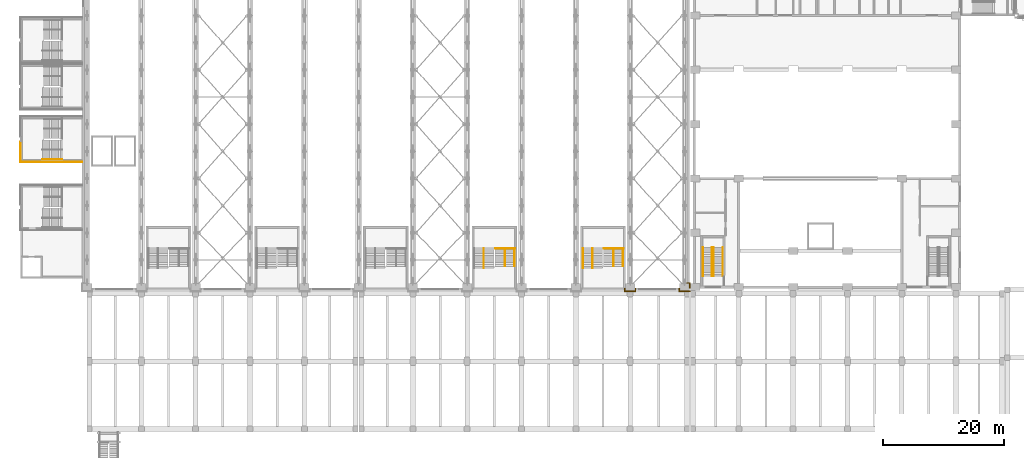
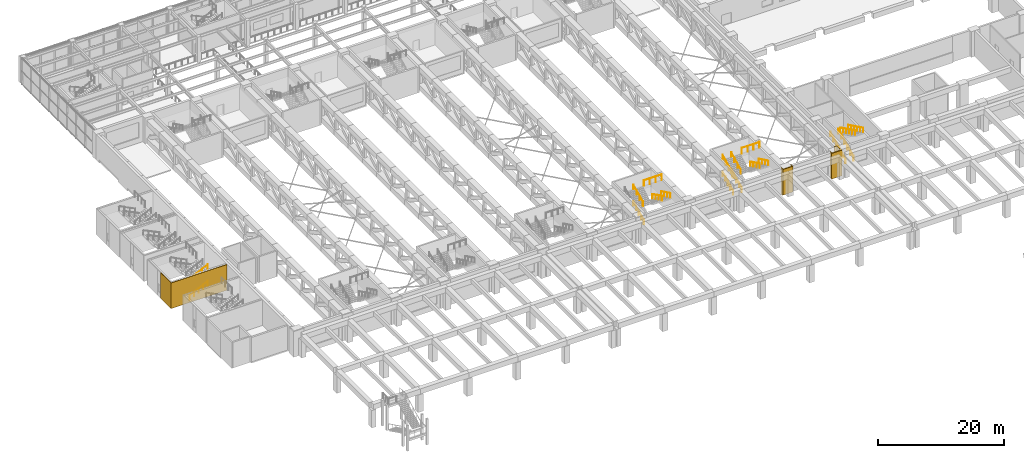
# One storey, part 67 of 76: 18 railings, 5 coverings.
"""IFC4 building model written with IfcOpenShell, lengths in metres."""

from ifc_helpers import new_model, si_unit, direction, frame, origin, origin_2d, place, context, subcontext, project, spatial, polyline, circle, outline, extrude, material, layer, layer_set, type_object, element, save


model = new_model("IFC4")

# Units and contexts
model_context = context("Model", 3, precision=1e-05, world=origin(), true_north=direction((0.0, 1.0)))
body_context = subcontext(model_context, "Body", "Model", "MODEL_VIEW")
ifc_project = project(units=[si_unit("LENGTHUNIT", "METRE"), si_unit("AREAUNIT", "SQUARE_METRE"), si_unit("VOLUMEUNIT", "CUBIC_METRE"), si_unit("PLANEANGLEUNIT", "RADIAN"), si_unit("MASSUNIT", "GRAM", prefix="KILO")], contexts=[model_context])

# Site, building, storey
site_placement = place(None, origin())
site = spatial("IfcSite", under=ifc_project, at=site_placement, CompositionType="ELEMENT")
building_placement = place(site_placement, origin())
building = spatial("IfcBuilding", under=site, at=building_placement, Name="Aravalli Gate Trade Fair Centre", CompositionType="ELEMENT")
storey_placement = place(building_placement, frame((0.0, 0.0, 10.0)))
storey = spatial("IfcBuildingStorey", under=building, at=storey_placement, Name="L02", CompositionType="ELEMENT", Elevation=10.0)

# Railings
ifc_material_1 = material(Name="Steel E350", Category="steel")
railing_type_1 = type_object("IfcRailingType", Name="Congress stair handrail 900", PredefinedType="HANDRAIL", material=ifc_material_1)
for number, where, name in (
    (1, (108.070068359375, 47.800048828125, 0.147216796875), "Handrail GS1 L02 1"),
    (2, (109.550048828125, 47.800048828125, 0.147216796875), "Handrail GS1 L02 2"),
):
    element("IfcRailing", number, at=place(storey_placement, frame(where)), inside=storey, type_object=railing_type_1, Name=name, PredefinedType="HANDRAIL", context=body_context, shape_type="SweptSolid", body=[
        extrude(circle(Radius=0.02392578125, at=origin_2d()), frame((0.0, 0.0, 0.8759765625), z_axis=(0.0, 0.89793417156, 0.440129780343), x_axis=(-1.0, 0.0, 0.0)), (0.0, 0.0, 1.0), 5.345703125),
        extrude(circle(Radius=0.02099609375, at=origin_2d()), origin(), (0.0, 0.0, 1.0), 0.851806640625),
        extrude(circle(Radius=0.02099609375, at=origin_2d()), frame((0.0, 0.9599609375, 0.470458984375)), (0.0, 0.0, 1.0), 0.851806640625),
        extrude(circle(Radius=0.02099609375, at=origin_2d()), frame((0.0, 1.919921875, 0.941162109375)), (0.0, 0.0, 1.0), 0.851806640625),
        extrude(circle(Radius=0.02099609375, at=origin_2d()), frame((0.0, 2.880126953125, 1.41162109375)), (0.0, 0.0, 1.0), 0.851806640625),
        extrude(circle(Radius=0.02099609375, at=origin_2d()), frame((0.0, 3.840087890625, 1.88232421875)), (0.0, 0.0, 1.0), 0.851806640625),
        extrude(circle(Radius=0.02099609375, at=origin_2d()), frame((0.0, 4.800048828125, 2.352783203125)), (0.0, 0.0, 1.0), 0.851806640625),
    ])
for number, where, name in (
    (3, (111.330078125, 52.60009765625, 2.647216796875), "Handrail GS1 L02 3"),
    (4, (109.85009765625, 52.60009765625, 2.647216796875), "Handrail GS1 L02 4"),
):
    element("IfcRailing", number, at=place(storey_placement, frame(where)), inside=storey, type_object=railing_type_1, Name=name, PredefinedType="HANDRAIL", context=body_context, shape_type="SweptSolid", body=[
        extrude(circle(Radius=0.02392578125, at=origin_2d()), frame((0.0, 0.0, 0.8759765625), z_axis=(0.0, -0.89793417156, 0.440129780343), x_axis=(1.0, 0.0, 0.0)), (0.0, 0.0, 1.0), 5.345703125),
        extrude(circle(Radius=0.02099609375, at=origin_2d()), origin(), (0.0, 0.0, 1.0), 0.851806640625),
        extrude(circle(Radius=0.02099609375, at=origin_2d()), frame((0.0, -0.9599609375, 0.470458984375)), (0.0, 0.0, 1.0), 0.851806640625),
        extrude(circle(Radius=0.02099609375, at=origin_2d()), frame((0.0, -1.919921875, 0.941162109375)), (0.0, 0.0, 1.0), 0.851806640625),
        extrude(circle(Radius=0.02099609375, at=origin_2d()), frame((0.0, -2.880126953125, 1.41162109375)), (0.0, 0.0, 1.0), 0.851806640625),
        extrude(circle(Radius=0.02099609375, at=origin_2d()), frame((0.0, -3.840087890625, 1.88232421875)), (0.0, 0.0, 1.0), 0.851806640625),
        extrude(circle(Radius=0.02099609375, at=origin_2d()), frame((0.0, -4.800048828125, 2.352783203125)), (0.0, 0.0, 1.0), 0.851806640625),
    ])

# Coverings
ifc_material_2 = material(Name="Terracotta", Category="masonry")
ifc_layer_1 = layer(ifc_material_2, 0.10009765625)
ifc_layer_set_1 = layer_set([ifc_layer_1], Name="Terracotta")
covering_type_1 = type_object("IfcCoveringType", Name="End tower cladding 100", PredefinedType="CLADDING", material=ifc_layer_set_1)
covering_1_placement = place(storey_placement, origin())
element("IfcCovering", 5, at=covering_1_placement, inside=storey, type_object=covering_type_1, Name="End tower W4 cladding L02 side A", PredefinedType="CLADDING", context=body_context, shape_type="SweptSolid", body=[
    extrude(outline(polyline([(5.199951171875, 66.699951171875), (-5.10009765625, 66.699951171875), (-5.10009765625, 66.800048828125), (5.199951171875, 66.800048828125), (5.199951171875, 66.699951171875)])), origin(), (0.0, 0.0, 1.0), 5.0),
])
covering_2_placement = place(storey_placement, origin())
element("IfcCovering", 6, at=covering_2_placement, inside=storey, type_object=covering_type_1, Name="End tower W4 cladding L02 far left", PredefinedType="CLADDING", context=body_context, shape_type="SweptSolid", body=[
    extrude(outline(polyline([(-5.0, 66.800048828125), (-5.10009765625, 66.800048828125), (-5.10009765625, 70.050048828125), (-5.0, 70.050048828125), (-5.0, 66.800048828125)])), origin(), (0.0, 0.0, 1.0), 5.0),
])

# Railings
railing_type_2 = type_object("IfcRailingType", Name="Stair guard 1100", PredefinedType="GUARDRAIL", material=ifc_material_1)
for number, where, name in (
    (7, (73.6298828125, 52.39990234375, 5.0), "Guard S08 L02 head"),
    (8, (91.6298828125, 52.39990234375, 5.0), "Guard S10 L02 head"),
):
    element("IfcRailing", number, at=place(storey_placement, frame(where)), inside=storey, type_object=railing_type_2, Name=name, PredefinedType="GUARDRAIL", context=body_context, shape_type="SweptSolid", body=[
        extrude(circle(Radius=0.02392578125, at=origin_2d()), frame((0.0, 0.0, 1.076171875), z_axis=(1.0, 0.0, 0.0), x_axis=(0.0, 1.0, 0.0)), (0.0, 0.0, 1.0), 3.27001953125),
        extrude(circle(Radius=0.02099609375, at=origin_2d()), origin(), (0.0, 0.0, 1.0), 1.052001953125),
        extrude(circle(Radius=0.02099609375, at=origin_2d()), frame((1.090087890625, 0.0, 0.0)), (0.0, 0.0, 1.0), 1.052001953125),
        extrude(circle(Radius=0.02099609375, at=origin_2d()), frame((2.179931640625, 0.0, 0.0)), (0.0, 0.0, 1.0), 1.052001953125),
        extrude(circle(Radius=0.02099609375, at=origin_2d()), frame((3.27001953125, 0.0, 0.0)), (0.0, 0.0, 1.0), 1.052001953125),
    ])
railing_type_3 = type_object("IfcRailingType", Name="Stair handrail 900", PredefinedType="HANDRAIL", material=ifc_material_1)
railing_1_placement = place(storey_placement, frame((71.75, 49.14990234375, 0.147216796875)))
element("IfcRailing", 9, at=railing_1_placement, inside=storey, type_object=railing_type_3, Name="Handrail centre S08 L02 2", PredefinedType="HANDRAIL", context=body_context, shape_type="SweptSolid", body=[
    extrude(circle(Radius=0.02392578125, at=origin_2d()), frame((0.0, 0.0, 0.8759765625), z_axis=(0.0, 0.897946461621, 0.440104705795), x_axis=(-1.0, 0.0, 0.0)), (0.0, 0.0, 1.0), 3.675048828125),
    extrude(circle(Radius=0.02099609375, at=origin_2d()), origin(), (0.0, 0.0, 1.0), 0.851806640625),
    extrude(circle(Radius=0.02099609375, at=origin_2d()), frame((0.0, 0.824951171875, 0.404296875)), (0.0, 0.0, 1.0), 0.851806640625),
    extrude(circle(Radius=0.02099609375, at=origin_2d()), frame((0.0, 1.64990234375, 0.80859375)), (0.0, 0.0, 1.0), 0.851806640625),
    extrude(circle(Radius=0.02099609375, at=origin_2d()), frame((0.0, 2.47509765625, 1.213134765625)), (0.0, 0.0, 1.0), 0.851806640625),
    extrude(circle(Radius=0.02099609375, at=origin_2d()), frame((0.0, 3.300048828125, 1.617431640625)), (0.0, 0.0, 1.0), 0.851806640625),
])
for number, where, name in (
    (10, (76.830078125, 52.449951171875, 1.911865234375), "Handrail S08 L02 3"),
    (11, (75.25, 52.449951171875, 1.911865234375), "Handrail centre S08 L02 4"),
):
    element("IfcRailing", number, at=place(storey_placement, frame(where)), inside=storey, type_object=railing_type_3, Name=name, PredefinedType="HANDRAIL", context=body_context, shape_type="SweptSolid", body=[
        extrude(circle(Radius=0.02392578125, at=origin_2d()), frame((0.0, 0.0, 0.8759765625), z_axis=(0.0, -0.897936012048, 0.440126025437), x_axis=(1.0, 0.0, 0.0)), (0.0, 0.0, 1.0), 3.341064453125),
        extrude(circle(Radius=0.02099609375, at=origin_2d()), origin(), (0.0, 0.0, 1.0), 0.851806640625),
        extrude(circle(Radius=0.02099609375, at=origin_2d()), frame((0.0, -1.0, 0.490234375)), (0.0, 0.0, 1.0), 0.851806640625),
        extrude(circle(Radius=0.02099609375, at=origin_2d()), frame((0.0, -2.0, 0.980224609375)), (0.0, 0.0, 1.0), 0.851806640625),
        extrude(circle(Radius=0.02099609375, at=origin_2d()), frame((0.0, -3.0, 1.470458984375)), (0.0, 0.0, 1.0), 0.851806640625),
    ])
railing_2_placement = place(storey_placement, frame((71.75, 49.449951171875, 3.529296875)))
element("IfcRailing", 12, at=railing_2_placement, inside=storey, type_object=railing_type_3, Name="Handrail centre S08 L02 6", PredefinedType="HANDRAIL", context=body_context, shape_type="SweptSolid", body=[
    extrude(circle(Radius=0.02392578125, at=origin_2d()), frame((0.0, 0.0, 0.8759765625), z_axis=(0.0, 0.897907131747, 0.44018494154), x_axis=(-1.0, 0.0, 0.0)), (0.0, 0.0, 1.0), 3.341064453125),
    extrude(circle(Radius=0.02099609375, at=origin_2d()), origin(), (0.0, 0.0, 1.0), 0.851806640625),
    extrude(circle(Radius=0.02099609375, at=origin_2d()), frame((0.0, 1.0, 0.490234375)), (0.0, 0.0, 1.0), 0.851806640625),
    extrude(circle(Radius=0.02099609375, at=origin_2d()), frame((0.0, 2.0, 0.98046875)), (0.0, 0.0, 1.0), 0.851806640625),
    extrude(circle(Radius=0.02099609375, at=origin_2d()), frame((0.0, 3.0, 1.470703125)), (0.0, 0.0, 1.0), 0.851806640625),
])
for number, where, name in (
    (13, (88.169921875, 49.14990234375, 0.147216796875), "Handrail S10 L02 1"),
    (14, (89.75, 49.14990234375, 0.147216796875), "Handrail centre S10 L02 2"),
):
    element("IfcRailing", number, at=place(storey_placement, frame(where)), inside=storey, type_object=railing_type_3, Name=name, PredefinedType="HANDRAIL", context=body_context, shape_type="SweptSolid", body=[
        extrude(circle(Radius=0.02392578125, at=origin_2d()), frame((0.0, 0.0, 0.8759765625), z_axis=(0.0, 0.897946461621, 0.440104705795), x_axis=(-1.0, 0.0, 0.0)), (0.0, 0.0, 1.0), 3.675048828125),
        extrude(circle(Radius=0.02099609375, at=origin_2d()), origin(), (0.0, 0.0, 1.0), 0.851806640625),
        extrude(circle(Radius=0.02099609375, at=origin_2d()), frame((0.0, 0.824951171875, 0.404296875)), (0.0, 0.0, 1.0), 0.851806640625),
        extrude(circle(Radius=0.02099609375, at=origin_2d()), frame((0.0, 1.64990234375, 0.80859375)), (0.0, 0.0, 1.0), 0.851806640625),
        extrude(circle(Radius=0.02099609375, at=origin_2d()), frame((0.0, 2.47509765625, 1.213134765625)), (0.0, 0.0, 1.0), 0.851806640625),
        extrude(circle(Radius=0.02099609375, at=origin_2d()), frame((0.0, 3.300048828125, 1.617431640625)), (0.0, 0.0, 1.0), 0.851806640625),
    ])
for number, where, name in (
    (15, (94.830078125, 52.449951171875, 1.911865234375), "Handrail S10 L02 3"),
    (16, (93.25, 52.449951171875, 1.911865234375), "Handrail centre S10 L02 4"),
):
    element("IfcRailing", number, at=place(storey_placement, frame(where)), inside=storey, type_object=railing_type_3, Name=name, PredefinedType="HANDRAIL", context=body_context, shape_type="SweptSolid", body=[
        extrude(circle(Radius=0.02392578125, at=origin_2d()), frame((0.0, 0.0, 0.8759765625), z_axis=(0.0, -0.897936012048, 0.440126025437), x_axis=(1.0, 0.0, 0.0)), (0.0, 0.0, 1.0), 3.341064453125),
        extrude(circle(Radius=0.02099609375, at=origin_2d()), origin(), (0.0, 0.0, 1.0), 0.851806640625),
        extrude(circle(Radius=0.02099609375, at=origin_2d()), frame((0.0, -1.0, 0.490234375)), (0.0, 0.0, 1.0), 0.851806640625),
        extrude(circle(Radius=0.02099609375, at=origin_2d()), frame((0.0, -2.0, 0.980224609375)), (0.0, 0.0, 1.0), 0.851806640625),
        extrude(circle(Radius=0.02099609375, at=origin_2d()), frame((0.0, -3.0, 1.470458984375)), (0.0, 0.0, 1.0), 0.851806640625),
    ])
for number, where, name in (
    (17, (88.169921875, 49.449951171875, 3.529296875), "Handrail S10 L02 5"),
    (18, (89.75, 49.449951171875, 3.529296875), "Handrail centre S10 L02 6"),
):
    element("IfcRailing", number, at=place(storey_placement, frame(where)), inside=storey, type_object=railing_type_3, Name=name, PredefinedType="HANDRAIL", context=body_context, shape_type="SweptSolid", body=[
        extrude(circle(Radius=0.02392578125, at=origin_2d()), frame((0.0, 0.0, 0.8759765625), z_axis=(0.0, 0.897907131747, 0.44018494154), x_axis=(-1.0, 0.0, 0.0)), (0.0, 0.0, 1.0), 3.341064453125),
        extrude(circle(Radius=0.02099609375, at=origin_2d()), origin(), (0.0, 0.0, 1.0), 0.851806640625),
        extrude(circle(Radius=0.02099609375, at=origin_2d()), frame((0.0, 1.0, 0.490234375)), (0.0, 0.0, 1.0), 0.851806640625),
        extrude(circle(Radius=0.02099609375, at=origin_2d()), frame((0.0, 2.0, 0.98046875)), (0.0, 0.0, 1.0), 0.851806640625),
        extrude(circle(Radius=0.02099609375, at=origin_2d()), frame((0.0, 3.0, 1.470703125)), (0.0, 0.0, 1.0), 0.851806640625),
    ])
railing_3_placement = place(storey_placement, frame((-1.39990234375, 67.169921875, 0.147216796875)))
element("IfcRailing", 19, at=railing_3_placement, inside=storey, type_object=railing_type_3, Name="Handrail W4 L02 1", PredefinedType="HANDRAIL", context=body_context, shape_type="SweptSolid", body=[
    extrude(circle(Radius=0.02392578125, at=origin_2d()), frame((0.0, 0.0, 0.8759765625), z_axis=(0.897933593325, 0.0, 0.440130960031), x_axis=(0.0, 1.0, 0.0)), (0.0, 0.0, 1.0), 3.6748046875),
    extrude(circle(Radius=0.02099609375, at=origin_2d()), origin(), (0.0, 0.0, 1.0), 0.851806640625),
    extrude(circle(Radius=0.02099609375, at=origin_2d()), frame((0.824951171875, 0.0, 0.404296875)), (0.0, 0.0, 1.0), 0.851806640625),
    extrude(circle(Radius=0.02099609375, at=origin_2d()), frame((1.64990234375, 0.0, 0.80859375)), (0.0, 0.0, 1.0), 0.851806640625),
    extrude(circle(Radius=0.02099609375, at=origin_2d()), frame((2.474853515625, 0.0, 1.213134765625)), (0.0, 0.0, 1.0), 0.851806640625),
    extrude(circle(Radius=0.02099609375, at=origin_2d()), frame((3.2998046875, 0.0, 1.617431640625)), (0.0, 0.0, 1.0), 0.851806640625),
])
railing_4_placement = place(storey_placement, frame((-1.10009765625, 67.169921875, 3.529296875)))
element("IfcRailing", 20, at=railing_4_placement, inside=storey, type_object=railing_type_3, Name="Handrail W4 L02 5", PredefinedType="HANDRAIL", context=body_context, shape_type="SweptSolid", body=[
    extrude(circle(Radius=0.02392578125, at=origin_2d()), frame((0.0, 0.0, 0.8759765625), z_axis=(0.897907131747, 0.0, 0.44018494154), x_axis=(0.0, 1.0, 0.0)), (0.0, 0.0, 1.0), 3.341064453125),
    extrude(circle(Radius=0.02099609375, at=origin_2d()), origin(), (0.0, 0.0, 1.0), 0.851806640625),
    extrude(circle(Radius=0.02099609375, at=origin_2d()), frame((1.0, 0.0, 0.490234375)), (0.0, 0.0, 1.0), 0.851806640625),
    extrude(circle(Radius=0.02099609375, at=origin_2d()), frame((2.0, 0.0, 0.98046875)), (0.0, 0.0, 1.0), 0.851806640625),
    extrude(circle(Radius=0.02099609375, at=origin_2d()), frame((3.0, 0.0, 1.470703125)), (0.0, 0.0, 1.0), 0.851806640625),
])

# Coverings
ifc_layer_2 = layer(ifc_material_2, 0.14990234375)
ifc_layer_set_2 = layer_set([ifc_layer_2], Name="Terracotta")
covering_type_2 = type_object("IfcCoveringType", Name="Terracotta pier casing", PredefinedType="CLADDING", material=ifc_layer_set_2)
covering_3_placement = place(storey_placement, origin())
element("IfcCovering", 21, at=covering_3_placement, inside=storey, type_object=covering_type_2, Name="Clad pier A11 L02", PredefinedType="CLADDING", context=body_context, shape_type="SweptSolid", body=[
    extrude(outline(polyline([(95.050048828125, 45.85009765625), (95.199951171875, 45.85009765625), (95.199951171875, 45.39990234375), (96.800048828125, 45.39990234375), (96.800048828125, 45.85009765625), (96.949951171875, 45.85009765625), (96.949951171875, 45.25), (95.050048828125, 45.25), (95.050048828125, 45.85009765625)])), origin(), (0.0, 0.0, 1.0), 5.0),
])
covering_4_placement = place(storey_placement, origin())
element("IfcCovering", 22, at=covering_4_placement, inside=storey, type_object=covering_type_2, Name="Clad pier A12 L02", PredefinedType="CLADDING", context=body_context, shape_type="SweptSolid", body=[
    extrude(outline(polyline([(104.199951171875, 45.85009765625), (104.199951171875, 45.39990234375), (105.800048828125, 45.39990234375), (105.949951171875, 45.39990234375), (105.949951171875, 45.25), (104.050048828125, 45.25), (104.050048828125, 45.85009765625), (104.199951171875, 45.85009765625)])), origin(), (0.0, 0.0, 1.0), 5.0),
])
covering_5_placement = place(storey_placement, origin())
element("IfcCovering", 23, at=covering_5_placement, inside=storey, type_object=covering_type_2, Name="Clad pier A12 L02", PredefinedType="CLADDING", context=body_context, shape_type="SweptSolid", body=[
    extrude(outline(polyline([(105.800048828125, 46.60009765625), (105.35009765625, 46.60009765625), (105.35009765625, 46.75), (105.949951171875, 46.75), (105.949951171875, 45.85009765625), (105.800048828125, 45.85009765625), (105.800048828125, 46.60009765625)])), origin(), (0.0, 0.0, 1.0), 5.0),
])

save(model, "model.ifc")
